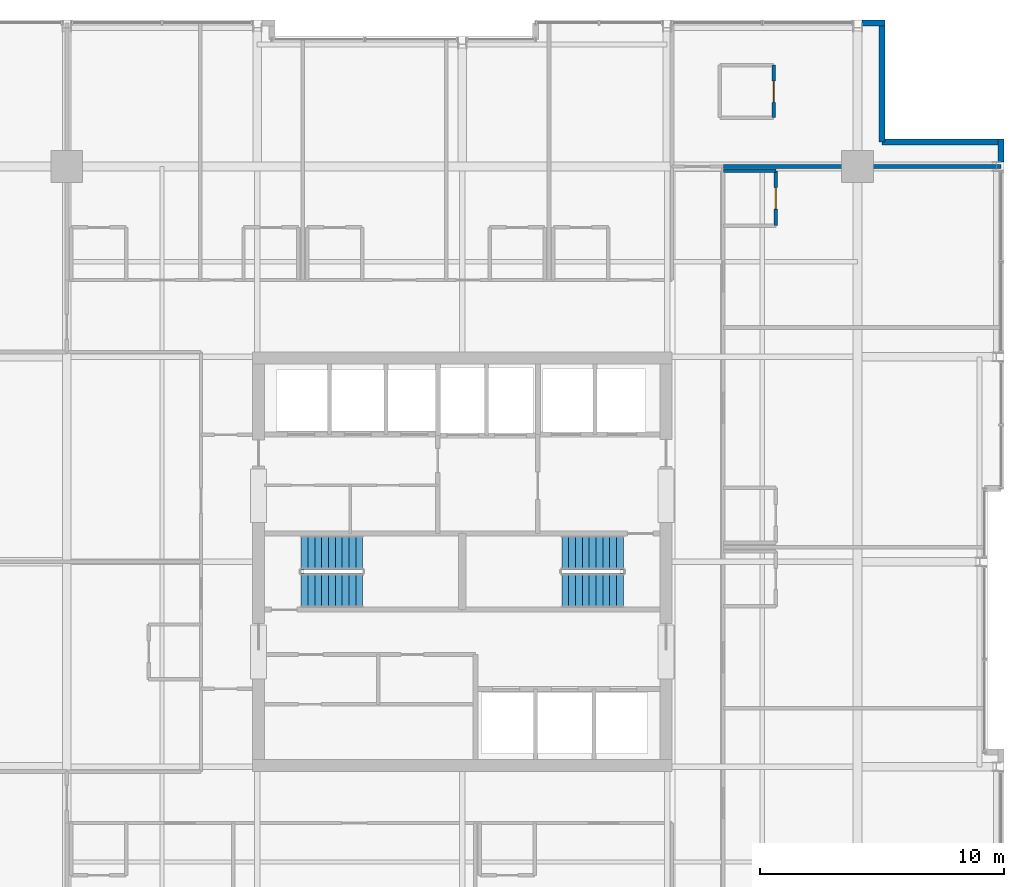
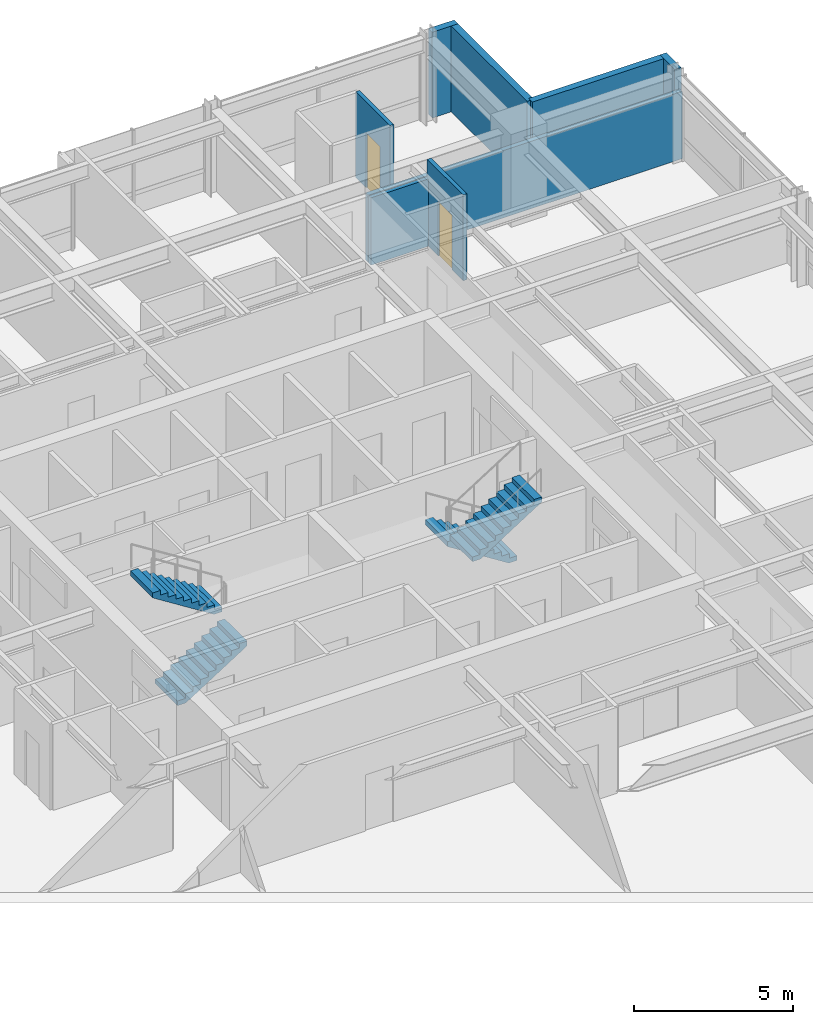
# One storey, part 29 of 31: 8 walls, 4 stair flights, 2 doors, 2 openings, 2 elements without a shape of their own.
"""IFC4 building model written with IfcOpenShell, lengths in metres."""

from ifc_helpers import new_model, si_unit, direction, frame, frame_2d, origin, place, context, subcontext, project, spatial, polyline, rectangle, outline, extrude, material, layer, layer_set, type_object, element, fill, aggregate, save


model = new_model("IFC4")

# Units and contexts
model_context = context("Model", 3, precision=1e-05, world=origin(), true_north=direction((0.0, 1.0)))
body_context = subcontext(model_context, "Body", "Model", "MODEL_VIEW")
ifc_project = project(units=[si_unit("LENGTHUNIT", "METRE"), si_unit("AREAUNIT", "SQUARE_METRE"), si_unit("VOLUMEUNIT", "CUBIC_METRE"), si_unit("PLANEANGLEUNIT", "RADIAN"), si_unit("MASSUNIT", "GRAM", prefix="KILO")], contexts=[model_context])

# Site, building, storey
site_placement = place(None, origin())
site = spatial("IfcSite", under=ifc_project, at=site_placement, CompositionType="ELEMENT")
building_placement = place(site_placement, origin())
building = spatial("IfcBuilding", under=site, at=building_placement, Name="Drelvath Grand Hotel", CompositionType="ELEMENT")
storey_placement = place(building_placement, frame((0.0, 0.0, 185.89990234375)))
storey = spatial("IfcBuildingStorey", under=building, at=storey_placement, Name="L48", CompositionType="ELEMENT", Elevation=185.89990234375)

# Wall, opening, door
ifc_material_1 = material(Name="Moisture-Resistant Gypsum Board")
ifc_layer_1 = layer(ifc_material_1, 0.139892578125)
ifc_layer_set_1 = layer_set([ifc_layer_1], Name="Moisture-Resistant Gypsum Board")
wall_type_1 = type_object("IfcWallType", Name="En-Suite Plumbing Wall 140", PredefinedType="PLUMBINGWALL", material=ifc_layer_set_1)
wall_1_placement = place(storey_placement, frame((12.760009765625, 45.199951171875, 0.0), z_axis=(0.0, 0.0, 1.0), x_axis=(0.0, 1.0, 0.0)))
wall_1 = element("IfcWall", 1, at=wall_1_placement, inside=storey, type_object=wall_type_1, Name="L48 Corner En-Suite East", PredefinedType="PLUMBINGWALL", context=body_context, shape_type="SweptSolid", body=[
    extrude(rectangle(XDim=2.150146484375, YDim=0.139892578125, at=frame_2d((1.0751953125, 0.0))), origin(), (0.0, 0.0, 1.0), 3.2900390625),
])
opening_1_placement = place(wall_1_placement, frame((0.6201171875, 0.0, 0.0)))
opening_1 = element("IfcOpeningElement", 2, at=opening_1_placement, cuts=wall_1, Name="Opening D-T3G4-032", PredefinedType="OPENING", context=body_context, shape_type="SweptSolid", body=[
    extrude(rectangle(XDim=0.8798828125, YDim=2.10009765625, at=frame_2d((0.43994140625, 1.050048828125))), frame((0.0, 0.079833984375, 0.0), z_axis=(0.0, -1.0, 0.0), x_axis=(1.0, 0.0, 0.0)), (0.0, 0.0, 1.0), 0.159912109375),
])
ifc_material_2 = material(Name="Hardwood Walnut Timber", Category="wood")
door_type = type_object("IfcDoorType", Name="En-Suite Bathroom Door 880x2100", OperationType="NOTDEFINED", PredefinedType="DOOR", material=ifc_material_2)
door_1_placement = place(opening_1_placement, origin())
door_1 = element("IfcDoor", 3, at=door_1_placement, inside=storey, type_object=door_type, Name="L48 Corner En-Suite Door", OperationType="SINGLE_SWING_RIGHT", OverallHeight=2.10009765625, OverallWidth=0.8798828125, PredefinedType="DOOR", context=body_context, shape_type="SweptSolid", body=[
    extrude(rectangle(XDim=0.8798828125, YDim=2.10009765625, at=frame_2d((0.43994140625, 1.050048828125))), frame((0.0, 0.02490234375, 0.0), z_axis=(0.0, -1.0, 0.0), x_axis=(1.0, 0.0, 0.0)), (0.0, 0.0, 1.0), 0.050048828125),
])
fill(opening_1, door_1)

# Wall
wall_2_placement = place(storey_placement, frame((10.699951171875, 43.02001953125, 0.0), z_axis=(0.0, 0.0, 1.0), x_axis=(1.0, 0.0, 0.0)))
element("IfcWall", 4, at=wall_2_placement, inside=storey, type_object=wall_type_1, Name="L48 En-Suite Right Wall", PredefinedType="PLUMBINGWALL", context=body_context, shape_type="SweptSolid", body=[
    extrude(rectangle(XDim=2.150146484375, YDim=0.139892578125, at=frame_2d((1.0751953125, 0.0))), origin(), (0.0, 0.0, 1.0), 2.57958984375),
])

# Wall, opening, door
wall_3_placement = place(storey_placement, frame((12.85009765625, 40.77001953125, 0.0), z_axis=(0.0, 0.0, 1.0), x_axis=(0.0, 1.0, 0.0)))
wall_3 = element("IfcWall", 5, at=wall_3_placement, inside=storey, type_object=wall_type_1, Name="L48 En-Suite Front Wall", PredefinedType="PLUMBINGWALL", context=body_context, shape_type="SweptSolid", body=[
    extrude(rectangle(XDim=2.25, YDim=0.139892578125, at=frame_2d((1.125, 0.0))), origin(), (0.0, 0.0, 1.0), 3.2900390625),
])
opening_2_placement = place(wall_3_placement, frame((0.68505859375, 0.0, 0.0)))
opening_2 = element("IfcOpeningElement", 6, at=opening_2_placement, cuts=wall_3, Name="Opening D-T3G4-055", PredefinedType="OPENING", context=body_context, shape_type="SweptSolid", body=[
    extrude(rectangle(XDim=0.8798828125, YDim=2.10009765625, at=frame_2d((0.43994140625, 1.050048828125))), frame((0.0, 0.079833984375, 0.0), z_axis=(0.0, -1.0, 0.0), x_axis=(1.0, 0.0, 0.0)), (0.0, 0.0, 1.0), 0.159912109375),
])
door_2_placement = place(opening_2_placement, origin())
door_2 = element("IfcDoor", 7, at=door_2_placement, inside=storey, type_object=door_type, Name="L48 En-Suite Bathroom Door", OperationType="SINGLE_SWING_LEFT", OverallHeight=2.10009765625, OverallWidth=0.8798828125, PredefinedType="DOOR", context=body_context, shape_type="SweptSolid", body=[
    extrude(rectangle(XDim=0.8798828125, YDim=2.10009765625, at=frame_2d((0.43994140625, 1.050048828125))), frame((0.0, 0.02490234375, 0.0), z_axis=(0.0, -1.0, 0.0), x_axis=(1.0, 0.0, 0.0)), (0.0, 0.0, 1.0), 0.050048828125),
])
fill(opening_2, door_2)

# Walls
ifc_material_3 = material(Name="Gypsum Acoustic Partition")
ifc_layer_2 = layer(ifc_material_3, 0.1650390625)
ifc_layer_set_2 = layer_set([ifc_layer_2], Name="Gypsum Acoustic Partition")
wall_type_2 = type_object("IfcWallType", Name="Suite Demising Wall 165", PredefinedType="PARTITIONING", material=ifc_layer_set_2)
wall_4_placement = place(storey_placement, frame((10.699951171875, 43.199951171875, 0.0), z_axis=(0.0, 0.0, 1.0), x_axis=(1.0, 0.0, 0.0)))
element("IfcWall", 8, at=wall_4_placement, inside=storey, type_object=wall_type_2, Name="L48 NE Suite South Wall", PredefinedType="PARTITIONING", context=body_context, shape_type="SweptSolid", body=[
    extrude(rectangle(XDim=11.380126953125, YDim=0.1650390625, at=frame_2d((5.68994140625, 0.0))), origin(), (0.0, 0.0, 1.0), 2.57958984375),
])
ifc_material_4 = material(Name="Pale-Metal Insulated Aluminium Spandrel Assembly", Category="aluminium")
ifc_layer_3 = layer(ifc_material_4, 0.239990234375)
ifc_layer_set_3 = layer_set([ifc_layer_3], Name="Pale-Metal Insulated Aluminium Spandrel Assembly")
wall_type_3 = type_object("IfcWallType", Name="Tower Insulated Metal Spandrel Closure Wall 240", PredefinedType="STANDARD", material=ifc_layer_set_3)
for number, where, z_axis, x_axis, name in (
    (9, (22.080078125, 44.320068359375, 0.0), (0.0, 0.0, 1.0), (0.0, -1.0, 0.0), "L48 Corner Pier Spandrel Wall EN3"),
    (10, (16.3916015625, 49.080078125, 0.0), (0.0, 0.0, 1.0), (1.0, 0.0, 0.0), "L48 Corner Pier Spandrel Wall NE3"),
):
    element("IfcWall", number, at=place(storey_placement, frame(where, z_axis=z_axis, x_axis=x_axis)), inside=storey, type_object=wall_type_3, Name=name, PredefinedType="STANDARD", context=body_context, shape_type="SweptSolid", body=[
        extrude(rectangle(XDim=0.928466796875, YDim=0.239990234375, at=frame_2d((0.46435546875, 0.0))), origin(), (0.0, 0.0, 1.0), 3.2900390625),
    ])
for number, where, z_axis, x_axis, name in (
    (11, (17.199951171875, 48.9599609375, 0.0), (0.0, 0.0, 1.0), (0.0, -1.0, 0.0), "L48 Notched Corner Return Spandrel Wall CNE1"),
    (12, (17.199951171875, 44.199951171875, 0.0), (0.0, 0.0, 1.0), (1.0, 0.0, 0.0), "L48 Notched Corner Return Spandrel Wall CNE2"),
):
    element("IfcWall", number, at=place(storey_placement, frame(where, z_axis=z_axis, x_axis=x_axis)), inside=storey, type_object=wall_type_3, Name=name, PredefinedType="STANDARD", context=body_context, shape_type="SweptSolid", body=[
        extrude(rectangle(XDim=4.760009765625, YDim=0.239990234375, at=frame_2d((2.3798828125, 0.0))), origin(), (0.0, 0.0, 1.0), 3.2900390625),
    ])

# Stair, stair flights
ifc_material_5 = material(Name="Concrete C40/50", Category="concrete")
stair_type = type_object("IfcStairType", Name="Dogleg Exit Stair W1400-R177.5", PredefinedType="HALF_TURN_STAIR", material=ifc_material_5)
stair_1_placement = place(storey_placement, origin())
stair_1 = element("IfcStair", 13, at=stair_1_placement, inside=storey, type_object=stair_type, Name="L48 Core Exit Stair ST-1", PredefinedType="HALF_TURN_STAIR")
stair_flight_type = type_object("IfcStairFlightType", Name="Concrete Stair Flight W1400-R177.5", PredefinedType="STRAIGHT", material=ifc_material_5)
stair_flight_1_placement = place(storey_placement, frame((-6.60009765625, 25.820068359375, 0.0), z_axis=(0.0, 0.0, 1.0), x_axis=(1.0, 0.0, 0.0)))
stair_flight_1 = element("IfcStairFlight", 14, at=stair_flight_1_placement, type_object=stair_flight_type, Name="ST-1 flight 1", NumberOfRisers=10, NumberOfTreads=9, PredefinedType="STRAIGHT", RiserHeight=0.1775, TreadLength=0.28, context=body_context, shape_type="SweptSolid", body=[
    extrude(outline(polyline([(0.0, 0.0), (0.0, 0.177490234375), (0.280029296875, 0.177490234375), (0.280029296875, 0.35498046875), (0.56005859375, 0.35498046875), (0.56005859375, 0.532470703125), (0.840087890625, 0.532470703125), (0.840087890625, 0.7099609375), (1.1201171875, 0.7099609375), (1.1201171875, 0.887451171875), (1.39990234375, 0.887451171875), (1.39990234375, 1.06494140625), (1.679931640625, 1.06494140625), (1.679931640625, 1.242431640625), (1.9599609375, 1.242431640625), (1.9599609375, 1.419921875), (2.239990234375, 1.419921875), (2.239990234375, 1.597412109375), (2.52001953125, 1.597412109375), (2.52001953125, 1.77490234375), (2.52001953125, 1.408203125), (0.298583984375, 0.0), (0.0, 0.0)])), frame((0.0, 0.699951171875, 0.0), z_axis=(0.0, -1.0, 0.0), x_axis=(1.0, 0.0, 0.0)), (0.0, 0.0, 1.0), 1.39990234375),
])
stair_flight_2_placement = place(storey_placement, frame((-4.080078125, 27.3798828125, 1.775146484375), z_axis=(0.0, 0.0, 1.0), x_axis=(-1.0, 0.0, 0.0)))
stair_flight_2 = element("IfcStairFlight", 15, at=stair_flight_2_placement, type_object=stair_flight_type, Name="ST-1 flight 2", NumberOfRisers=10, NumberOfTreads=9, PredefinedType="STRAIGHT", RiserHeight=0.1775, TreadLength=0.28, context=body_context, shape_type="SweptSolid", body=[
    extrude(outline(polyline([(0.0, 0.0), (0.0, 0.177490234375), (0.280029296875, 0.177490234375), (0.280029296875, 0.35498046875), (0.56005859375, 0.35498046875), (0.56005859375, 0.532470703125), (0.840087890625, 0.532470703125), (0.840087890625, 0.7099609375), (1.1201171875, 0.7099609375), (1.1201171875, 0.887451171875), (1.39990234375, 0.887451171875), (1.39990234375, 1.06494140625), (1.679931640625, 1.06494140625), (1.679931640625, 1.242431640625), (1.9599609375, 1.242431640625), (1.9599609375, 1.419921875), (2.239990234375, 1.419921875), (2.239990234375, 1.597412109375), (2.52001953125, 1.597412109375), (2.52001953125, 1.77490234375), (2.52001953125, 1.408203125), (0.298583984375, 0.0), (0.0, 0.0)])), frame((0.0, 0.699951171875, 0.0), z_axis=(0.0, -1.0, 0.0), x_axis=(1.0, 0.0, 0.0)), (0.0, 0.0, 1.0), 1.39990234375),
])
aggregate(stair_1, [stair_flight_1, stair_flight_2])

stair_2_placement = place(storey_placement, origin())
stair_2 = element("IfcStair", 16, at=stair_2_placement, inside=storey, type_object=stair_type, Name="L48 Core Exit Stair ST-2", PredefinedType="HALF_TURN_STAIR")
stair_flight_3_placement = place(storey_placement, frame((6.60009765625, 27.3798828125, 0.0), z_axis=(0.0, 0.0, 1.0), x_axis=(-1.0, 0.0, 0.0)))
stair_flight_3 = element("IfcStairFlight", 17, at=stair_flight_3_placement, type_object=stair_flight_type, Name="ST-2 flight 1", NumberOfRisers=10, NumberOfTreads=9, PredefinedType="STRAIGHT", RiserHeight=0.1775, TreadLength=0.28, context=body_context, shape_type="SweptSolid", body=[
    extrude(outline(polyline([(0.0, 0.0), (0.0, 0.177490234375), (0.280029296875, 0.177490234375), (0.280029296875, 0.35498046875), (0.56005859375, 0.35498046875), (0.56005859375, 0.532470703125), (0.840087890625, 0.532470703125), (0.840087890625, 0.7099609375), (1.1201171875, 0.7099609375), (1.1201171875, 0.887451171875), (1.39990234375, 0.887451171875), (1.39990234375, 1.06494140625), (1.679931640625, 1.06494140625), (1.679931640625, 1.242431640625), (1.9599609375, 1.242431640625), (1.9599609375, 1.419921875), (2.239990234375, 1.419921875), (2.239990234375, 1.597412109375), (2.52001953125, 1.597412109375), (2.52001953125, 1.77490234375), (2.52001953125, 1.408203125), (0.298583984375, 0.0), (0.0, 0.0)])), frame((0.0, 0.699951171875, 0.0), z_axis=(0.0, -1.0, 0.0), x_axis=(1.0, 0.0, 0.0)), (0.0, 0.0, 1.0), 1.39990234375),
])
stair_flight_4_placement = place(storey_placement, frame((4.080078125, 25.820068359375, 1.775146484375), z_axis=(0.0, 0.0, 1.0), x_axis=(1.0, 0.0, 0.0)))
stair_flight_4 = element("IfcStairFlight", 18, at=stair_flight_4_placement, type_object=stair_flight_type, Name="ST-2 flight 2", NumberOfRisers=10, NumberOfTreads=9, PredefinedType="STRAIGHT", RiserHeight=0.1775, TreadLength=0.28, context=body_context, shape_type="SweptSolid", body=[
    extrude(outline(polyline([(0.0, 0.0), (0.0, 0.177490234375), (0.280029296875, 0.177490234375), (0.280029296875, 0.35498046875), (0.56005859375, 0.35498046875), (0.56005859375, 0.532470703125), (0.840087890625, 0.532470703125), (0.840087890625, 0.7099609375), (1.1201171875, 0.7099609375), (1.1201171875, 0.887451171875), (1.39990234375, 0.887451171875), (1.39990234375, 1.06494140625), (1.679931640625, 1.06494140625), (1.679931640625, 1.242431640625), (1.9599609375, 1.242431640625), (1.9599609375, 1.419921875), (2.239990234375, 1.419921875), (2.239990234375, 1.597412109375), (2.52001953125, 1.597412109375), (2.52001953125, 1.77490234375), (2.52001953125, 1.408203125), (0.298583984375, 0.0), (0.0, 0.0)])), frame((0.0, 0.699951171875, 0.0), z_axis=(0.0, -1.0, 0.0), x_axis=(1.0, 0.0, 0.0)), (0.0, 0.0, 1.0), 1.39990234375),
])
aggregate(stair_2, [stair_flight_3, stair_flight_4])

save(model, "model.ifc")
